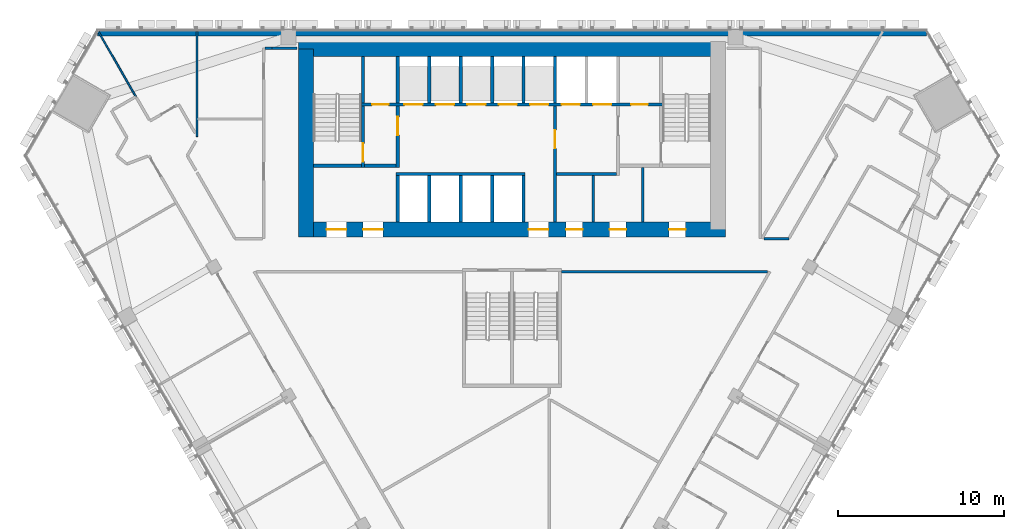
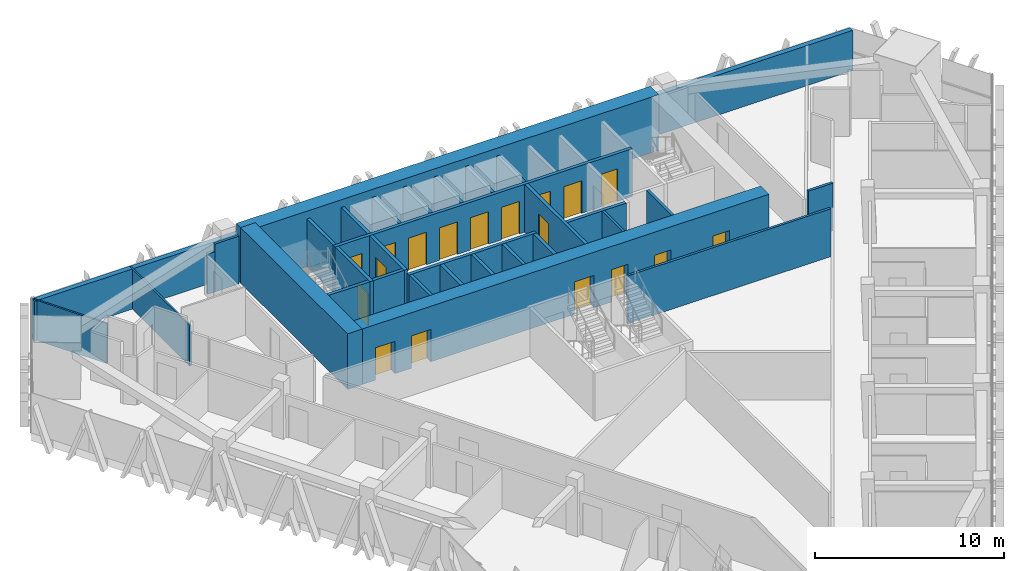
# One storey, part 11 of 16: 32 walls, 18 doors, 18 openings.
"""IFC4 building model written with IfcOpenShell, lengths in metres."""

from ifc_helpers import new_model, si_unit, direction, frame, frame_2d, origin, place, context, subcontext, project, spatial, rectangle, extrude, material, layer, layer_set, type_object, element, fill, save


model = new_model("IFC4")

# Units and contexts
model_context = context("Model", 3, precision=1e-05, world=origin(), true_north=direction((0.0, 1.0)))
body_context = subcontext(model_context, "Body", "Model", "MODEL_VIEW")
ifc_project = project(units=[si_unit("LENGTHUNIT", "METRE"), si_unit("AREAUNIT", "SQUARE_METRE"), si_unit("VOLUMEUNIT", "CUBIC_METRE"), si_unit("PLANEANGLEUNIT", "RADIAN"), si_unit("MASSUNIT", "GRAM", prefix="KILO")], contexts=[model_context])

# Site, building, storey
site_placement = place(None, origin())
site = spatial("IfcSite", under=ifc_project, at=site_placement, CompositionType="ELEMENT")
building_placement = place(site_placement, origin())
building = spatial("IfcBuilding", under=site, at=building_placement, Name="Altiplano Prism Tower", CompositionType="ELEMENT")
storey_placement = place(building_placement, frame((0.0, 0.0, 84.60009765625)))
storey = spatial("IfcBuildingStorey", under=building, at=storey_placement, Name="L21", CompositionType="ELEMENT", Elevation=84.60009765625)

# Wall, openings, doors
ifc_material_1 = material(Name="Concrete C70/85", Category="concrete")
ifc_layer_1 = layer(ifc_material_1, 0.89990234375)
ifc_layer_set_1 = layer_set([ifc_layer_1], Name="Concrete C70/85")
wall_type_1 = type_object("IfcWallType", Name="Core wall 900", PredefinedType="SHEAR", material=ifc_layer_set_1)
wall_1_placement = place(storey_placement, frame((72.550048828125, 92.949951171875, 0.0), z_axis=(0.0, 0.0, 1.0), x_axis=(1.0, 0.0, 0.0)))
wall_1 = element("IfcWall", 1, at=wall_1_placement, inside=storey, type_object=wall_type_1, Name="Core wall S L21", PredefinedType="SHEAR", context=body_context, shape_type="SweptSolid", body=[
    extrude(rectangle(XDim=25.349853515625, YDim=0.89990234375, at=frame_2d((12.6748046875, 0.0))), origin(), (0.0, 0.0, 1.0), 3.599853515625),
])
opening_1_placement = place(wall_1_placement, frame((1.25, 0.0, 0.0)))
opening_1 = element("IfcOpeningElement", 2, at=opening_1_placement, cuts=wall_1, Name="Opening D2874", PredefinedType="OPENING", context=body_context, shape_type="SweptSolid", body=[
    extrude(rectangle(XDim=1.199951171875, YDim=2.10009765625, at=frame_2d((0.60009765625, 1.050048828125))), frame((0.0, 0.46044921875, 0.0), z_axis=(0.0, -1.0, 0.0), x_axis=(1.0, 0.0, 0.0)), (0.0, 0.0, 1.0), 0.9208984375),
])
opening_2_placement = place(wall_1_placement, frame((3.449951171875, 0.0, 0.0)))
opening_2 = element("IfcOpeningElement", 3, at=opening_2_placement, cuts=wall_1, Name="Opening D2875", PredefinedType="OPENING", context=body_context, shape_type="SweptSolid", body=[
    extrude(rectangle(XDim=1.199951171875, YDim=2.10009765625, at=frame_2d((0.60009765625, 1.050048828125))), frame((0.0, 0.46044921875, 0.0), z_axis=(0.0, -1.0, 0.0), x_axis=(1.0, 0.0, 0.0)), (0.0, 0.0, 1.0), 0.9208984375),
])
opening_3_placement = place(wall_1_placement, frame((13.449951171875, 0.0, 0.0)))
opening_3 = element("IfcOpeningElement", 4, at=opening_3_placement, cuts=wall_1, Name="Opening D2876", PredefinedType="OPENING", context=body_context, shape_type="SweptSolid", body=[
    extrude(rectangle(XDim=1.199951171875, YDim=2.10009765625, at=frame_2d((0.60009765625, 1.050048828125))), frame((0.0, 0.46044921875, 0.0), z_axis=(0.0, -1.0, 0.0), x_axis=(1.0, 0.0, 0.0)), (0.0, 0.0, 1.0), 0.9208984375),
])
opening_4_placement = place(wall_1_placement, frame((15.71240234375, 0.0, 0.0)))
opening_4 = element("IfcOpeningElement", 5, at=opening_4_placement, cuts=wall_1, Name="Opening D2879", PredefinedType="OPENING", context=body_context, shape_type="SweptSolid", body=[
    extrude(rectangle(XDim=1.0, YDim=2.10009765625, at=frame_2d((0.5, 1.050048828125))), frame((0.0, 0.46044921875, 0.0), z_axis=(0.0, -1.0, 0.0), x_axis=(1.0, 0.0, 0.0)), (0.0, 0.0, 1.0), 0.9208984375),
])
opening_5_placement = place(wall_1_placement, frame((18.35009765625, 0.0, 0.0)))
opening_5 = element("IfcOpeningElement", 6, at=opening_5_placement, cuts=wall_1, Name="Opening D2880", PredefinedType="OPENING", context=body_context, shape_type="SweptSolid", body=[
    extrude(rectangle(XDim=1.0, YDim=2.10009765625, at=frame_2d((0.5, 1.050048828125))), frame((0.0, 0.46044921875, 0.0), z_axis=(0.0, -1.0, 0.0), x_axis=(1.0, 0.0, 0.0)), (0.0, 0.0, 1.0), 0.9208984375),
])
opening_6_placement = place(wall_1_placement, frame((21.9375, 0.0, 0.0)))
opening_6 = element("IfcOpeningElement", 7, at=opening_6_placement, cuts=wall_1, Name="Opening D2881", PredefinedType="OPENING", context=body_context, shape_type="SweptSolid", body=[
    extrude(rectangle(XDim=1.0, YDim=2.10009765625, at=frame_2d((0.5, 1.050048828125))), frame((0.0, 0.46044921875, 0.0), z_axis=(0.0, -1.0, 0.0), x_axis=(1.0, 0.0, 0.0)), (0.0, 0.0, 1.0), 0.9208984375),
])
ifc_material_2 = material(Name="Fire-rated steel door", Category="steel")
door_type_1 = type_object("IfcDoorType", Name="Core room door 1000 x 2100", OperationType="NOTDEFINED", PredefinedType="NOTDEFINED", material=ifc_material_2)
door_1_placement = place(opening_4_placement, origin())
door_1 = element("IfcDoor", 8, at=door_1_placement, inside=storey, type_object=door_type_1, Name="Core room door D2879", OperationType="SINGLE_SWING_RIGHT", OverallHeight=2.10009765625, OverallWidth=1.0, PredefinedType="NOTDEFINED", context=body_context, shape_type="SweptSolid", body=[
    extrude(rectangle(XDim=1.0, YDim=2.10009765625, at=frame_2d((0.5, 1.050048828125))), frame((0.0, 0.02490234375, 0.0), z_axis=(0.0, -1.0, 0.0), x_axis=(1.0, 0.0, 0.0)), (0.0, 0.0, 1.0), 0.050048828125),
])
fill(opening_4, door_1)
door_2_placement = place(opening_5_placement, origin())
door_2 = element("IfcDoor", 9, at=door_2_placement, inside=storey, type_object=door_type_1, Name="Core room door D2880", OperationType="SINGLE_SWING_LEFT", OverallHeight=2.10009765625, OverallWidth=1.0, PredefinedType="NOTDEFINED", context=body_context, shape_type="SweptSolid", body=[
    extrude(rectangle(XDim=1.0, YDim=2.10009765625, at=frame_2d((0.5, 1.050048828125))), frame((0.0, 0.02490234375, 0.0), z_axis=(0.0, -1.0, 0.0), x_axis=(1.0, 0.0, 0.0)), (0.0, 0.0, 1.0), 0.050048828125),
])
fill(opening_5, door_2)
door_3_placement = place(opening_6_placement, origin())
door_3 = element("IfcDoor", 10, at=door_3_placement, inside=storey, type_object=door_type_1, Name="Core room door D2881", OperationType="SINGLE_SWING_RIGHT", OverallHeight=2.10009765625, OverallWidth=1.0, PredefinedType="NOTDEFINED", context=body_context, shape_type="SweptSolid", body=[
    extrude(rectangle(XDim=1.0, YDim=2.10009765625, at=frame_2d((0.5, 1.050048828125))), frame((0.0, 0.02490234375, 0.0), z_axis=(0.0, -1.0, 0.0), x_axis=(1.0, 0.0, 0.0)), (0.0, 0.0, 1.0), 0.050048828125),
])
fill(opening_6, door_3)
door_type_2 = type_object("IfcDoorType", Name="Lobby fire door 1200 x 2100", OperationType="NOTDEFINED", PredefinedType="NOTDEFINED", material=ifc_material_2)
door_4_placement = place(opening_1_placement, origin())
door_4 = element("IfcDoor", 11, at=door_4_placement, inside=storey, type_object=door_type_2, Name="Lobby fire door D2874", OperationType="SINGLE_SWING_RIGHT", OverallHeight=2.10009765625, OverallWidth=1.199951171875, PredefinedType="NOTDEFINED", context=body_context, shape_type="SweptSolid", body=[
    extrude(rectangle(XDim=1.199951171875, YDim=2.10009765625, at=frame_2d((0.60009765625, 1.050048828125))), frame((0.0, 0.02490234375, 0.0), z_axis=(0.0, -1.0, 0.0), x_axis=(1.0, 0.0, 0.0)), (0.0, 0.0, 1.0), 0.050048828125),
])
fill(opening_1, door_4)
door_5_placement = place(opening_2_placement, origin())
door_5 = element("IfcDoor", 12, at=door_5_placement, inside=storey, type_object=door_type_2, Name="Lobby fire door D2875", OperationType="SINGLE_SWING_LEFT", OverallHeight=2.10009765625, OverallWidth=1.199951171875, PredefinedType="NOTDEFINED", context=body_context, shape_type="SweptSolid", body=[
    extrude(rectangle(XDim=1.199951171875, YDim=2.10009765625, at=frame_2d((0.60009765625, 1.050048828125))), frame((0.0, 0.02490234375, 0.0), z_axis=(0.0, -1.0, 0.0), x_axis=(1.0, 0.0, 0.0)), (0.0, 0.0, 1.0), 0.050048828125),
])
fill(opening_2, door_5)
door_6_placement = place(opening_3_placement, origin())
door_6 = element("IfcDoor", 13, at=door_6_placement, inside=storey, type_object=door_type_2, Name="Lobby fire door D2876", OperationType="SINGLE_SWING_RIGHT", OverallHeight=2.10009765625, OverallWidth=1.199951171875, PredefinedType="NOTDEFINED", context=body_context, shape_type="SweptSolid", body=[
    extrude(rectangle(XDim=1.199951171875, YDim=2.10009765625, at=frame_2d((0.60009765625, 1.050048828125))), frame((0.0, 0.02490234375, 0.0), z_axis=(0.0, -1.0, 0.0), x_axis=(1.0, 0.0, 0.0)), (0.0, 0.0, 1.0), 0.050048828125),
])
fill(opening_3, door_6)

# Walls
wall_2_placement = place(storey_placement, frame((97.449951171875, 103.85009765625, 0.0), z_axis=(0.0, 0.0, 1.0), x_axis=(-1.0, 0.0, 0.0)))
element("IfcWall", 14, at=wall_2_placement, inside=storey, type_object=wall_type_1, Name="Core wall N L21", PredefinedType="SHEAR", context=body_context, shape_type="SweptSolid", body=[
    extrude(rectangle(XDim=25.349853515625, YDim=0.89990234375, at=frame_2d((12.6748046875, 0.0))), origin(), (0.0, 0.0, 1.0), 3.599853515625),
])
wall_3_placement = place(storey_placement, frame((72.550048828125, 103.85009765625, 0.0), z_axis=(0.0, 0.0, 1.0), x_axis=(0.0, -1.0, 0.0)))
element("IfcWall", 15, at=wall_3_placement, inside=storey, type_object=wall_type_1, Name="Core wall W L21", PredefinedType="SHEAR", context=body_context, shape_type="SweptSolid", body=[
    extrude(rectangle(XDim=11.35009765625, YDim=0.89990234375, at=frame_2d((5.675048828125, 0.0))), origin(), (0.0, 0.0, 1.0), 3.599853515625),
])
ifc_material_3 = material(Name="Plasterboard on steel stud", Category="steel")
ifc_layer_2 = layer(ifc_material_3, 0.10009765625)
ifc_layer_set_2 = layer_set([ifc_layer_2], Name="Plasterboard on steel stud")
wall_type_2 = type_object("IfcWallType", Name="Partition 100 wet", PredefinedType="PARTITIONING", material=ifc_layer_set_2)
wall_4_placement = place(storey_placement, frame((65.9775390625, 98.55078125, 0.0), z_axis=(0.0, 0.0, 1.0), x_axis=(0.0, 1.0, 0.0)))
element("IfcWall", 16, at=wall_4_placement, inside=storey, type_object=wall_type_2, Name="Partition P03 L21 042", PredefinedType="PARTITIONING", context=body_context, shape_type="SweptSolid", body=[
    extrude(rectangle(XDim=6.34912109375, YDim=0.10009765625, at=frame_2d((3.174560546875, 0.0))), origin(), (0.0, 0.0, 1.0), 2.599853515625),
])
wall_5_placement = place(storey_placement, frame((60.0126953125, 104.89990234375, 0.0), z_axis=(0.0, 0.0, 1.0), x_axis=(0.500023773789, -0.866011677546, 0.0)))
element("IfcWall", 17, at=wall_5_placement, inside=storey, type_object=wall_type_2, Name="Partition P03 L21 043", PredefinedType="PARTITIONING", context=body_context, shape_type="SweptSolid", body=[
    extrude(rectangle(XDim=4.535400390625, YDim=0.10009765625, at=frame_2d((2.267578125, 0.0))), origin(), (0.0, 0.0, 1.0), 2.599853515625),
])
ifc_layer_3 = layer(ifc_material_3, 0.14990234375)
ifc_layer_set_3 = layer_set([ifc_layer_3], Name="Plasterboard on steel stud")
wall_type_3 = type_object("IfcWallType", Name="Partition 150 corridor", PredefinedType="PARTITIONING", material=ifc_layer_set_3)
wall_6_placement = place(storey_placement, frame((72.0, 103.89990234375, 0.0), z_axis=(0.0, 0.0, 1.0), x_axis=(-1.0, 0.0, 0.0)))
element("IfcWall", 18, at=wall_6_placement, inside=storey, type_object=wall_type_3, Name="Partition P06 L21 004", PredefinedType="PARTITIONING", context=body_context, shape_type="SweptSolid", body=[
    extrude(rectangle(XDim=1.491943359375, YDim=0.14990234375, at=frame_2d((0.74609375, 0.0))), origin(), (0.0, 0.0, 1.0), 3.099853515625),
])
wall_7_placement = place(storey_placement, frame((70.508056640625, 103.89990234375, 0.0), z_axis=(0.0, 0.0, 1.0), x_axis=(-1.0, 0.0, 0.0)))
element("IfcWall", 19, at=wall_7_placement, inside=storey, type_object=wall_type_3, Name="Partition P06 L21 005", PredefinedType="PARTITIONING", context=body_context, shape_type="SweptSolid", body=[
    extrude(rectangle(XDim=0.43310546875, YDim=0.14990234375, at=frame_2d((0.216552734375, 0.0))), origin(), (0.0, 0.0, 1.0), 2.599853515625),
])
wall_8_placement = place(storey_placement, frame((101.723876953125, 92.39990234375, 0.0), z_axis=(0.0, 0.0, 1.0), x_axis=(-0.999999787242, 0.000652315582, 0.0)))
element("IfcWall", 20, at=wall_8_placement, inside=storey, type_object=wall_type_3, Name="Partition P06 L21 034", PredefinedType="PARTITIONING", context=body_context, shape_type="SweptSolid", body=[
    extrude(rectangle(XDim=1.4970703125, YDim=0.14990234375, at=frame_2d((0.74853515625, 0.0))), origin(), (0.0, 0.0, 1.0), 3.099853515625),
])
wall_9_placement = place(storey_placement, frame((88.0, 90.39990234375, 0.0), z_axis=(0.0, 0.0, 1.0), x_axis=(1.0, 0.0, 0.0)))
element("IfcWall", 21, at=wall_9_placement, inside=storey, type_object=wall_type_3, Name="Partition P06 L21 037", PredefinedType="PARTITIONING", context=body_context, shape_type="SweptSolid", body=[
    extrude(rectangle(XDim=12.439208984375, YDim=0.14990234375, at=frame_2d((6.2197265625, 0.0))), origin(), (0.0, 0.0, 1.0), 3.099853515625),
])
ifc_material_4 = material(Name="Fire-rated gypsum board partition")
ifc_layer_4 = layer(ifc_material_4, 0.14990234375)
ifc_layer_set_4 = layer_set([ifc_layer_4], Name="Fire-rated gypsum board partition")
wall_type_4 = type_object("IfcWallType", Name="Room partition 150", PredefinedType="PARTITIONING", material=ifc_layer_set_4)
wall_10_placement = place(storey_placement, frame((89.89990234375, 93.39990234375, 0.0), z_axis=(0.0, 0.0, 1.0), x_axis=(0.0, 1.0, 0.0)))
element("IfcWall", 22, at=wall_10_placement, inside=storey, type_object=wall_type_4, Name="Room partition L21", PredefinedType="PARTITIONING", context=body_context, shape_type="SweptSolid", body=[
    extrude(rectangle(XDim=2.800048828125, YDim=0.14990234375, at=frame_2d((1.39990234375, 0.0))), origin(), (0.0, 0.0, 1.0), 3.099853515625),
])
wall_11_placement = place(storey_placement, frame((92.89990234375, 93.39990234375, 0.0), z_axis=(0.0, 0.0, 1.0), x_axis=(0.0, 1.0, 0.0)))
element("IfcWall", 23, at=wall_11_placement, inside=storey, type_object=wall_type_4, Name="Room partition L21", PredefinedType="PARTITIONING", context=body_context, shape_type="SweptSolid", body=[
    extrude(rectangle(XDim=3.300048828125, YDim=0.14990234375, at=frame_2d((1.64990234375, 0.0))), origin(), (0.0, 0.0, 1.0), 3.099853515625),
])
ifc_material_5 = material(Name="Concrete C60/75", Category="concrete")
ifc_layer_5 = layer(ifc_material_5, 0.199951171875)
ifc_layer_set_5 = layer_set([ifc_layer_5], Name="Concrete C60/75")
wall_type_5 = type_object("IfcWallType", Name="Shaft wall 200", PredefinedType="SOLIDWALL", material=ifc_layer_set_5)
for number, where, z_axis, x_axis, name in (
    (24, (78.10009765625, 93.39990234375, 0.0), (0.0, 0.0, 1.0), (0.0, 1.0, 0.0), "Shaft wall L21"),
    (25, (80.0, 93.39990234375, 0.0), (0.0, 0.0, 1.0), (0.0, 1.0, 0.0), "Shaft wall L21"),
    (26, (81.89990234375, 93.39990234375, 0.0), (0.0, 0.0, 1.0), (0.0, 1.0, 0.0), "Shaft wall L21"),
    (27, (83.800048828125, 93.39990234375, 0.0), (0.0, 0.0, 1.0), (0.0, 1.0, 0.0), "Shaft wall L21"),
    (28, (85.699951171875, 93.39990234375, 0.0), (0.0, 0.0, 1.0), (0.0, 1.0, 0.0), "Shaft wall L21"),
):
    element("IfcWall", number, at=place(storey_placement, frame(where, z_axis=z_axis, x_axis=x_axis)), inside=storey, type_object=wall_type_5, Name=name, PredefinedType="SOLIDWALL", context=body_context, shape_type="SweptSolid", body=[
        extrude(rectangle(XDim=2.800048828125, YDim=0.199951171875, at=frame_2d((1.39990234375, 0.0))), origin(), (0.0, 0.0, 1.0), 3.099853515625),
    ])
wall_12_placement = place(storey_placement, frame((78.0, 96.300048828125, 0.0), z_axis=(0.0, 0.0, 1.0), x_axis=(1.0, 0.0, 0.0)))
element("IfcWall", 29, at=wall_12_placement, inside=storey, type_object=wall_type_5, Name="Shaft wall L21", PredefinedType="SOLIDWALL", context=body_context, shape_type="SweptSolid", body=[
    extrude(rectangle(XDim=7.800048828125, YDim=0.199951171875, at=frame_2d((3.89990234375, 0.0))), origin(), (0.0, 0.0, 1.0), 3.099853515625),
])
for number, where, z_axis, x_axis, name in (
    (30, (78.10009765625, 100.60009765625, 0.0), (0.0, 0.0, 1.0), (0.0, 1.0, 0.0), "Shaft wall L21"),
    (31, (80.0, 100.60009765625, 0.0), (0.0, 0.0, 1.0), (0.0, 1.0, 0.0), "Shaft wall L21"),
    (32, (81.89990234375, 100.60009765625, 0.0), (0.0, 0.0, 1.0), (0.0, 1.0, 0.0), "Shaft wall L21"),
    (33, (83.800048828125, 100.60009765625, 0.0), (0.0, 0.0, 1.0), (0.0, 1.0, 0.0), "Shaft wall L21"),
    (34, (85.699951171875, 100.60009765625, 0.0), (0.0, 0.0, 1.0), (0.0, 1.0, 0.0), "Shaft wall L21"),
    (35, (87.60009765625, 100.60009765625, 0.0), (0.0, 0.0, 1.0), (0.0, 1.0, 0.0), "Shaft wall L21"),
):
    element("IfcWall", number, at=place(storey_placement, frame(where, z_axis=z_axis, x_axis=x_axis)), inside=storey, type_object=wall_type_5, Name=name, PredefinedType="SOLIDWALL", context=body_context, shape_type="SweptSolid", body=[
        extrude(rectangle(XDim=2.7998046875, YDim=0.199951171875, at=frame_2d((1.39990234375, 0.0))), origin(), (0.0, 0.0, 1.0), 3.099853515625),
    ])
ifc_layer_6 = layer(ifc_material_5, 0.199951171875)
ifc_layer_set_6 = layer_set([ifc_layer_6], Name="Concrete C60/75")
wall_type_6 = type_object("IfcWallType", Name="Stair wall 200", PredefinedType="SOLIDWALL", material=ifc_layer_set_6)
wall_13_placement = place(storey_placement, frame((73.0, 96.800048828125, 0.0), z_axis=(0.0, 0.0, 1.0), x_axis=(1.0, 0.0, 0.0)))
element("IfcWall", 36, at=wall_13_placement, inside=storey, type_object=wall_type_6, Name="Stair wall L21", PredefinedType="SOLIDWALL", context=body_context, shape_type="SweptSolid", body=[
    extrude(rectangle(XDim=2.89990234375, YDim=0.199951171875, at=frame_2d((1.449951171875, 0.0))), origin(), (0.0, 0.0, 1.0), 3.099853515625),
])

# Wall, opening, door
wall_14_placement = place(storey_placement, frame((76.0, 96.699951171875, 0.0), z_axis=(0.0, 0.0, 1.0), x_axis=(0.0, 1.0, 0.0)))
wall_14 = element("IfcWall", 37, at=wall_14_placement, inside=storey, type_object=wall_type_6, Name="Stair wall L21", PredefinedType="SOLIDWALL", context=body_context, shape_type="SweptSolid", body=[
    extrude(rectangle(XDim=3.699951171875, YDim=0.199951171875, at=frame_2d((1.85009765625, 0.0))), origin(), (0.0, 0.0, 1.0), 3.099853515625),
])
opening_7_placement = place(wall_14_placement, frame((0.35009765625, 0.0, 0.0)))
opening_7 = element("IfcOpeningElement", 38, at=opening_7_placement, cuts=wall_14, Name="Opening D2869", PredefinedType="OPENING", context=body_context, shape_type="SweptSolid", body=[
    extrude(rectangle(XDim=1.10009765625, YDim=2.10009765625, at=frame_2d((0.550048828125, 1.050048828125))), frame((0.0, 0.1103515625, 0.0), z_axis=(0.0, -1.0, 0.0), x_axis=(1.0, 0.0, 0.0)), (0.0, 0.0, 1.0), 0.220947265625),
])
door_type_3 = type_object("IfcDoorType", Name="Stair fire door 1100 x 2100", OperationType="NOTDEFINED", PredefinedType="NOTDEFINED", material=ifc_material_2)
door_7_placement = place(opening_7_placement, origin())
door_7 = element("IfcDoor", 39, at=door_7_placement, inside=storey, type_object=door_type_3, Name="Stair fire door D2869", OperationType="SINGLE_SWING_RIGHT", OverallHeight=2.10009765625, OverallWidth=1.10009765625, PredefinedType="NOTDEFINED", context=body_context, shape_type="SweptSolid", body=[
    extrude(rectangle(XDim=1.10009765625, YDim=2.10009765625, at=frame_2d((0.550048828125, 1.050048828125))), frame((0.0, 0.02490234375, 0.0), z_axis=(0.0, -1.0, 0.0), x_axis=(1.0, 0.0, 0.0)), (0.0, 0.0, 1.0), 0.050048828125),
])
fill(opening_7, door_7)

# Wall, openings, doors
wall_15_placement = place(storey_placement, frame((75.89990234375, 100.5, 0.0), z_axis=(0.0, 0.0, 1.0), x_axis=(1.0, 0.0, 0.0)))
wall_15 = element("IfcWall", 40, at=wall_15_placement, inside=storey, type_object=wall_type_6, Name="Stair wall L21", PredefinedType="SOLIDWALL", context=body_context, shape_type="SweptSolid", body=[
    extrude(rectangle(XDim=18.2001953125, YDim=0.199951171875, at=frame_2d((9.10009765625, 0.0))), origin(), (0.0, 0.0, 1.0), 3.099853515625),
])
opening_8_placement = place(wall_15_placement, frame((2.60009765625, 0.0, 0.0)))
opening_8 = element("IfcOpeningElement", 41, at=opening_8_placement, cuts=wall_15, Name="Opening LD-LL1-L21", PredefinedType="OPENING", context=body_context, shape_type="SweptSolid", body=[
    extrude(rectangle(XDim=1.10009765625, YDim=2.10009765625, at=frame_2d((0.550048828125, 1.050048828125))), frame((0.0, 0.1103515625, 0.0), z_axis=(0.0, -1.0, 0.0), x_axis=(1.0, 0.0, 0.0)), (0.0, 0.0, 1.0), 0.220947265625),
])
opening_9_placement = place(wall_15_placement, frame((4.5, 0.0, 0.0)))
opening_9 = element("IfcOpeningElement", 42, at=opening_9_placement, cuts=wall_15, Name="Opening LD-LL2-L21", PredefinedType="OPENING", context=body_context, shape_type="SweptSolid", body=[
    extrude(rectangle(XDim=1.10009765625, YDim=2.10009765625, at=frame_2d((0.550048828125, 1.050048828125))), frame((0.0, 0.1103515625, 0.0), z_axis=(0.0, -1.0, 0.0), x_axis=(1.0, 0.0, 0.0)), (0.0, 0.0, 1.0), 0.220947265625),
])
opening_10_placement = place(wall_15_placement, frame((6.39990234375, 0.0, 0.0)))
opening_10 = element("IfcOpeningElement", 43, at=opening_10_placement, cuts=wall_15, Name="Opening LD-LL3-L21", PredefinedType="OPENING", context=body_context, shape_type="SweptSolid", body=[
    extrude(rectangle(XDim=1.10009765625, YDim=2.10009765625, at=frame_2d((0.550048828125, 1.050048828125))), frame((0.0, 0.1103515625, 0.0), z_axis=(0.0, -1.0, 0.0), x_axis=(1.0, 0.0, 0.0)), (0.0, 0.0, 1.0), 0.220947265625),
])
opening_11_placement = place(wall_15_placement, frame((8.300048828125, 0.0, 0.0)))
opening_11 = element("IfcOpeningElement", 44, at=opening_11_placement, cuts=wall_15, Name="Opening LD-LL4-L21", PredefinedType="OPENING", context=body_context, shape_type="SweptSolid", body=[
    extrude(rectangle(XDim=1.10009765625, YDim=2.10009765625, at=frame_2d((0.550048828125, 1.050048828125))), frame((0.0, 0.1103515625, 0.0), z_axis=(0.0, -1.0, 0.0), x_axis=(1.0, 0.0, 0.0)), (0.0, 0.0, 1.0), 0.220947265625),
])
opening_12_placement = place(wall_15_placement, frame((10.199951171875, 0.0, 0.0)))
opening_12 = element("IfcOpeningElement", 45, at=opening_12_placement, cuts=wall_15, Name="Opening LD-LL5-L21", PredefinedType="OPENING", context=body_context, shape_type="SweptSolid", body=[
    extrude(rectangle(XDim=1.10009765625, YDim=2.10009765625, at=frame_2d((0.550048828125, 1.050048828125))), frame((0.0, 0.1103515625, 0.0), z_axis=(0.0, -1.0, 0.0), x_axis=(1.0, 0.0, 0.0)), (0.0, 0.0, 1.0), 0.220947265625),
])
opening_13_placement = place(wall_15_placement, frame((12.10009765625, 0.0, 0.0)))
opening_13 = element("IfcOpeningElement", 46, at=opening_13_placement, cuts=wall_15, Name="Opening LD-FF1-L21", PredefinedType="OPENING", context=body_context, shape_type="SweptSolid", body=[
    extrude(rectangle(XDim=1.10009765625, YDim=2.10009765625, at=frame_2d((0.550048828125, 1.050048828125))), frame((0.0, 0.1103515625, 0.0), z_axis=(0.0, -1.0, 0.0), x_axis=(1.0, 0.0, 0.0)), (0.0, 0.0, 1.0), 0.220947265625),
])
opening_14_placement = place(wall_15_placement, frame((14.0, 0.0, 0.0)))
opening_14 = element("IfcOpeningElement", 47, at=opening_14_placement, cuts=wall_15, Name="Opening LD-FF2-L21", PredefinedType="OPENING", context=body_context, shape_type="SweptSolid", body=[
    extrude(rectangle(XDim=1.10009765625, YDim=2.10009765625, at=frame_2d((0.550048828125, 1.050048828125))), frame((0.0, 0.1103515625, 0.0), z_axis=(0.0, -1.0, 0.0), x_axis=(1.0, 0.0, 0.0)), (0.0, 0.0, 1.0), 0.220947265625),
])
opening_15_placement = place(wall_15_placement, frame((0.64990234375, 0.0, 0.0)))
opening_15 = element("IfcOpeningElement", 48, at=opening_15_placement, cuts=wall_15, Name="Opening D2877", PredefinedType="OPENING", context=body_context, shape_type="SweptSolid", body=[
    extrude(rectangle(XDim=1.0, YDim=2.10009765625, at=frame_2d((0.5, 1.050048828125))), frame((0.0, 0.1103515625, 0.0), z_axis=(0.0, -1.0, 0.0), x_axis=(1.0, 0.0, 0.0)), (0.0, 0.0, 1.0), 0.220947265625),
])
opening_16_placement = place(wall_15_placement, frame((16.300048828125, 0.0, 0.0)))
opening_16 = element("IfcOpeningElement", 49, at=opening_16_placement, cuts=wall_15, Name="Opening D2878", PredefinedType="OPENING", context=body_context, shape_type="SweptSolid", body=[
    extrude(rectangle(XDim=1.0, YDim=2.10009765625, at=frame_2d((0.5, 1.050048828125))), frame((0.0, 0.1103515625, 0.0), z_axis=(0.0, -1.0, 0.0), x_axis=(1.0, 0.0, 0.0)), (0.0, 0.0, 1.0), 0.220947265625),
])
door_8_placement = place(opening_15_placement, origin())
door_8 = element("IfcDoor", 50, at=door_8_placement, inside=storey, type_object=door_type_1, Name="Core room door D2877", OperationType="SINGLE_SWING_LEFT", OverallHeight=2.10009765625, OverallWidth=1.0, PredefinedType="NOTDEFINED", context=body_context, shape_type="SweptSolid", body=[
    extrude(rectangle(XDim=1.0, YDim=2.10009765625, at=frame_2d((0.5, 1.050048828125))), frame((0.0, 0.02490234375, 0.0), z_axis=(0.0, -1.0, 0.0), x_axis=(1.0, 0.0, 0.0)), (0.0, 0.0, 1.0), 0.050048828125),
])
fill(opening_15, door_8)
door_9_placement = place(opening_16_placement, origin())
door_9 = element("IfcDoor", 51, at=door_9_placement, inside=storey, type_object=door_type_1, Name="Core room door D2878", OperationType="SINGLE_SWING_RIGHT", OverallHeight=2.10009765625, OverallWidth=1.0, PredefinedType="NOTDEFINED", context=body_context, shape_type="SweptSolid", body=[
    extrude(rectangle(XDim=1.0, YDim=2.10009765625, at=frame_2d((0.5, 1.050048828125))), frame((0.0, 0.02490234375, 0.0), z_axis=(0.0, -1.0, 0.0), x_axis=(1.0, 0.0, 0.0)), (0.0, 0.0, 1.0), 0.050048828125),
])
fill(opening_16, door_9)
ifc_material_6 = material(Name="Stainless steel landing door", Category="steel")
door_type_4 = type_object("IfcDoorType", Name="Landing door 1100 x 2100", OperationType="NOTDEFINED", PredefinedType="NOTDEFINED", material=ifc_material_6)
door_10_placement = place(opening_8_placement, origin())
door_10 = element("IfcDoor", 52, at=door_10_placement, inside=storey, type_object=door_type_4, Name="Landing doors LL1", OperationType="SLIDING_TO_RIGHT", OverallHeight=2.10009765625, OverallWidth=1.10009765625, PredefinedType="NOTDEFINED", context=body_context, shape_type="SweptSolid", body=[
    extrude(rectangle(XDim=1.10009765625, YDim=2.10009765625, at=frame_2d((0.550048828125, 1.050048828125))), frame((0.0, 0.02490234375, 0.0), z_axis=(0.0, -1.0, 0.0), x_axis=(1.0, 0.0, 0.0)), (0.0, 0.0, 1.0), 0.050048828125),
])
fill(opening_8, door_10)
door_11_placement = place(opening_9_placement, origin())
door_11 = element("IfcDoor", 53, at=door_11_placement, inside=storey, type_object=door_type_4, Name="Landing doors LL2", OperationType="SLIDING_TO_LEFT", OverallHeight=2.10009765625, OverallWidth=1.10009765625, PredefinedType="NOTDEFINED", context=body_context, shape_type="SweptSolid", body=[
    extrude(rectangle(XDim=1.10009765625, YDim=2.10009765625, at=frame_2d((0.550048828125, 1.050048828125))), frame((0.0, 0.02490234375, 0.0), z_axis=(0.0, -1.0, 0.0), x_axis=(1.0, 0.0, 0.0)), (0.0, 0.0, 1.0), 0.050048828125),
])
fill(opening_9, door_11)
door_12_placement = place(opening_10_placement, origin())
door_12 = element("IfcDoor", 54, at=door_12_placement, inside=storey, type_object=door_type_4, Name="Landing doors LL3", OperationType="SLIDING_TO_RIGHT", OverallHeight=2.10009765625, OverallWidth=1.10009765625, PredefinedType="NOTDEFINED", context=body_context, shape_type="SweptSolid", body=[
    extrude(rectangle(XDim=1.10009765625, YDim=2.10009765625, at=frame_2d((0.550048828125, 1.050048828125))), frame((0.0, 0.02490234375, 0.0), z_axis=(0.0, -1.0, 0.0), x_axis=(1.0, 0.0, 0.0)), (0.0, 0.0, 1.0), 0.050048828125),
])
fill(opening_10, door_12)
door_13_placement = place(opening_11_placement, origin())
door_13 = element("IfcDoor", 55, at=door_13_placement, inside=storey, type_object=door_type_4, Name="Landing doors LL4", OperationType="SLIDING_TO_LEFT", OverallHeight=2.10009765625, OverallWidth=1.10009765625, PredefinedType="NOTDEFINED", context=body_context, shape_type="SweptSolid", body=[
    extrude(rectangle(XDim=1.10009765625, YDim=2.10009765625, at=frame_2d((0.550048828125, 1.050048828125))), frame((0.0, 0.02490234375, 0.0), z_axis=(0.0, -1.0, 0.0), x_axis=(1.0, 0.0, 0.0)), (0.0, 0.0, 1.0), 0.050048828125),
])
fill(opening_11, door_13)
door_14_placement = place(opening_12_placement, origin())
door_14 = element("IfcDoor", 56, at=door_14_placement, inside=storey, type_object=door_type_4, Name="Landing doors LL5", OperationType="SLIDING_TO_RIGHT", OverallHeight=2.10009765625, OverallWidth=1.10009765625, PredefinedType="NOTDEFINED", context=body_context, shape_type="SweptSolid", body=[
    extrude(rectangle(XDim=1.10009765625, YDim=2.10009765625, at=frame_2d((0.550048828125, 1.050048828125))), frame((0.0, 0.02490234375, 0.0), z_axis=(0.0, -1.0, 0.0), x_axis=(1.0, 0.0, 0.0)), (0.0, 0.0, 1.0), 0.050048828125),
])
fill(opening_12, door_14)
door_15_placement = place(opening_13_placement, origin())
door_15 = element("IfcDoor", 57, at=door_15_placement, inside=storey, type_object=door_type_4, Name="Landing doors FF1", OperationType="SLIDING_TO_RIGHT", OverallHeight=2.10009765625, OverallWidth=1.10009765625, PredefinedType="NOTDEFINED", context=body_context, shape_type="SweptSolid", body=[
    extrude(rectangle(XDim=1.10009765625, YDim=2.10009765625, at=frame_2d((0.550048828125, 1.050048828125))), frame((0.0, 0.02490234375, 0.0), z_axis=(0.0, -1.0, 0.0), x_axis=(1.0, 0.0, 0.0)), (0.0, 0.0, 1.0), 0.050048828125),
])
fill(opening_13, door_15)
door_16_placement = place(opening_14_placement, origin())
door_16 = element("IfcDoor", 58, at=door_16_placement, inside=storey, type_object=door_type_4, Name="Landing doors FF2", OperationType="SLIDING_TO_LEFT", OverallHeight=2.10009765625, OverallWidth=1.10009765625, PredefinedType="NOTDEFINED", context=body_context, shape_type="SweptSolid", body=[
    extrude(rectangle(XDim=1.10009765625, YDim=2.10009765625, at=frame_2d((0.550048828125, 1.050048828125))), frame((0.0, 0.02490234375, 0.0), z_axis=(0.0, -1.0, 0.0), x_axis=(1.0, 0.0, 0.0)), (0.0, 0.0, 1.0), 0.050048828125),
])
fill(opening_14, door_16)

# Walls
wall_16_placement = place(storey_placement, frame((76.0, 100.60009765625, 0.0), z_axis=(0.0, 0.0, 1.0), x_axis=(0.0, 1.0, 0.0)))
element("IfcWall", 59, at=wall_16_placement, inside=storey, type_object=wall_type_6, Name="Stair wall L21", PredefinedType="SOLIDWALL", context=body_context, shape_type="SweptSolid", body=[
    extrude(rectangle(XDim=2.7998046875, YDim=0.199951171875, at=frame_2d((1.39990234375, 0.0))), origin(), (0.0, 0.0, 1.0), 3.099853515625),
])
ifc_material_7 = material(Name="Concrete C40", Category="concrete")
ifc_layer_7 = layer(ifc_material_7, 0.300048828125)
ifc_layer_set_7 = layer_set([ifc_layer_7], Name="Concrete C40")
wall_type_7 = type_object("IfcWallType", Name="Stone-clad external wall 300", PredefinedType="SOLIDWALL", material=ifc_layer_set_7)
wall_17_placement = place(storey_placement, frame((59.955078125, 104.7900390625, 0.0), z_axis=(0.0, 0.0, 1.0), x_axis=(1.0, 0.0, 0.0)))
element("IfcWall", 60, at=wall_17_placement, inside=storey, type_object=wall_type_7, Name="External wall north face L21", PredefinedType="SOLIDWALL", context=body_context, shape_type="SweptSolid", body=[
    extrude(rectangle(XDim=50.08984375, YDim=0.300048828125, at=frame_2d((25.044921875, 0.0))), origin(), (0.0, 0.0, 1.0), 2.599853515625),
])

# Wall, opening, door
ifc_layer_8 = layer(ifc_material_5, 0.199951171875)
ifc_layer_set_8 = layer_set([ifc_layer_8], Name="Concrete C60/75")
wall_type_8 = type_object("IfcWallType", Name="Vestibule wall 200", PredefinedType="PARTITIONING", material=ifc_layer_set_8)
wall_18_placement = place(storey_placement, frame((87.60009765625, 93.39990234375, 0.0), z_axis=(0.0, 0.0, 1.0), x_axis=(0.0, 1.0, 0.0)))
wall_18 = element("IfcWall", 61, at=wall_18_placement, inside=storey, type_object=wall_type_8, Name="Vestibule wall L21", PredefinedType="PARTITIONING", context=body_context, shape_type="SweptSolid", body=[
    extrude(rectangle(XDim=7.0, YDim=0.199951171875, at=frame_2d((3.5, 0.0))), origin(), (0.0, 0.0, 1.0), 3.099853515625),
])
opening_17_placement = place(wall_18_placement, frame((4.449951171875, 0.0, 0.0)))
opening_17 = element("IfcOpeningElement", 62, at=opening_17_placement, cuts=wall_18, Name="Opening D2872", PredefinedType="OPENING", context=body_context, shape_type="SweptSolid", body=[
    extrude(rectangle(XDim=1.10009765625, YDim=2.10009765625, at=frame_2d((0.550048828125, 1.050048828125))), frame((0.0, 0.1103515625, 0.0), z_axis=(0.0, -1.0, 0.0), x_axis=(1.0, 0.0, 0.0)), (0.0, 0.0, 1.0), 0.220947265625),
])
door_type_5 = type_object("IfcDoorType", Name="Vestibule fire door 1100 x 2100", OperationType="NOTDEFINED", PredefinedType="NOTDEFINED", material=ifc_material_2)
door_17_placement = place(opening_17_placement, origin())
door_17 = element("IfcDoor", 63, at=door_17_placement, inside=storey, type_object=door_type_5, Name="Vestibule fire door D2872", OperationType="SINGLE_SWING_RIGHT", OverallHeight=2.10009765625, OverallWidth=1.10009765625, PredefinedType="NOTDEFINED", context=body_context, shape_type="SweptSolid", body=[
    extrude(rectangle(XDim=1.10009765625, YDim=2.10009765625, at=frame_2d((0.550048828125, 1.050048828125))), frame((0.0, 0.02490234375, 0.0), z_axis=(0.0, -1.0, 0.0), x_axis=(1.0, 0.0, 0.0)), (0.0, 0.0, 1.0), 0.050048828125),
])
fill(opening_17, door_17)

# Walls
wall_19_placement = place(storey_placement, frame((87.699951171875, 96.300048828125, 0.0), z_axis=(0.0, 0.0, 1.0), x_axis=(1.0, 0.0, 0.0)))
element("IfcWall", 64, at=wall_19_placement, inside=storey, type_object=wall_type_8, Name="Vestibule wall L21", PredefinedType="PARTITIONING", context=body_context, shape_type="SweptSolid", body=[
    extrude(rectangle(XDim=3.60009765625, YDim=0.199951171875, at=frame_2d((1.800048828125, 0.0))), origin(), (0.0, 0.0, 1.0), 3.099853515625),
])
wall_20_placement = place(storey_placement, frame((76.10009765625, 96.800048828125, 0.0), z_axis=(0.0, 0.0, 1.0), x_axis=(1.0, 0.0, 0.0)))
element("IfcWall", 65, at=wall_20_placement, inside=storey, type_object=wall_type_8, Name="Vestibule wall L21", PredefinedType="PARTITIONING", context=body_context, shape_type="SweptSolid", body=[
    extrude(rectangle(XDim=1.89990234375, YDim=0.199951171875, at=frame_2d((0.949951171875, 0.0))), origin(), (0.0, 0.0, 1.0), 3.099853515625),
])

# Wall, opening, door
wall_21_placement = place(storey_placement, frame((78.10009765625, 96.699951171875, 0.0), z_axis=(0.0, 0.0, 1.0), x_axis=(0.0, 1.0, 0.0)))
wall_21 = element("IfcWall", 66, at=wall_21_placement, inside=storey, type_object=wall_type_8, Name="Vestibule wall L21", PredefinedType="PARTITIONING", context=body_context, shape_type="SweptSolid", body=[
    extrude(rectangle(XDim=3.699951171875, YDim=0.199951171875, at=frame_2d((1.85009765625, 0.0))), origin(), (0.0, 0.0, 1.0), 3.099853515625),
])
opening_18_placement = place(wall_21_placement, frame((1.949951171875, 0.0, 0.0)))
opening_18 = element("IfcOpeningElement", 67, at=opening_18_placement, cuts=wall_21, Name="Opening D2871", PredefinedType="OPENING", context=body_context, shape_type="SweptSolid", body=[
    extrude(rectangle(XDim=1.10009765625, YDim=2.10009765625, at=frame_2d((0.550048828125, 1.050048828125))), frame((0.0, 0.1103515625, 0.0), z_axis=(0.0, -1.0, 0.0), x_axis=(1.0, 0.0, 0.0)), (0.0, 0.0, 1.0), 0.220947265625),
])
door_18_placement = place(opening_18_placement, origin())
door_18 = element("IfcDoor", 68, at=door_18_placement, inside=storey, type_object=door_type_5, Name="Vestibule fire door D2871", OperationType="SINGLE_SWING_LEFT", OverallHeight=2.10009765625, OverallWidth=1.10009765625, PredefinedType="NOTDEFINED", context=body_context, shape_type="SweptSolid", body=[
    extrude(rectangle(XDim=1.10009765625, YDim=2.10009765625, at=frame_2d((0.550048828125, 1.050048828125))), frame((0.0, 0.02490234375, 0.0), z_axis=(0.0, -1.0, 0.0), x_axis=(1.0, 0.0, 0.0)), (0.0, 0.0, 1.0), 0.050048828125),
])
fill(opening_18, door_18)

save(model, "model.ifc")
